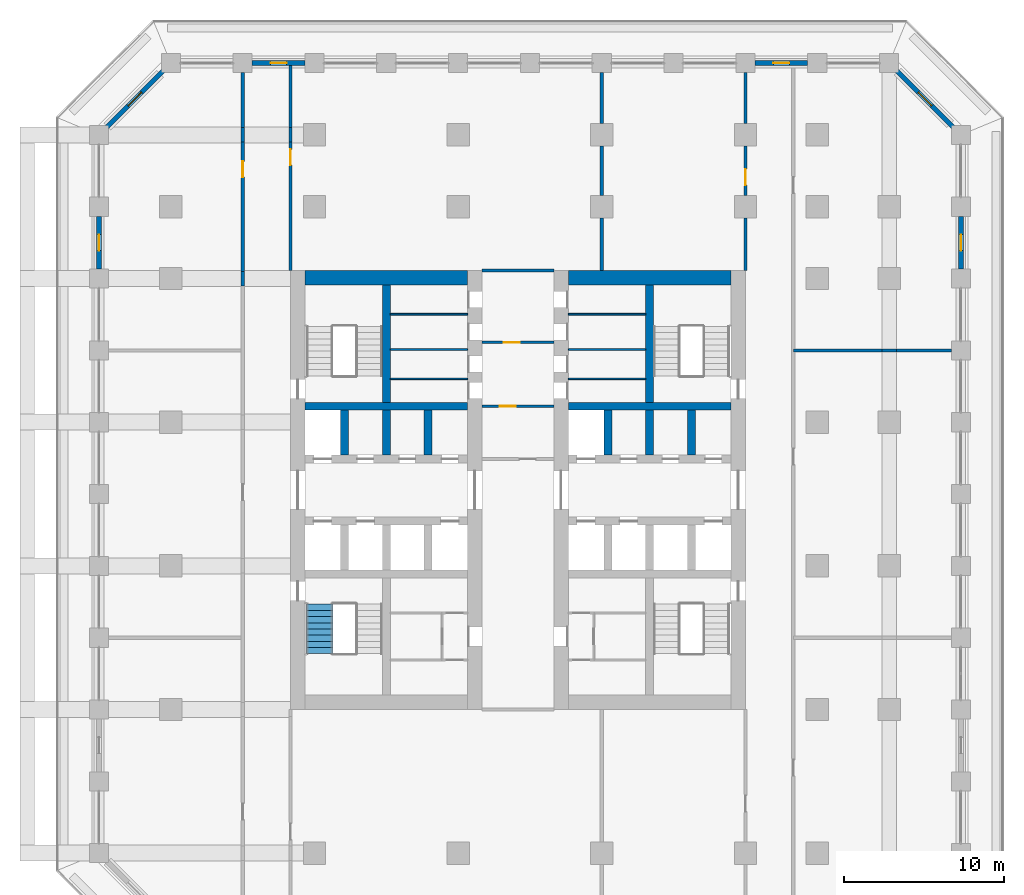
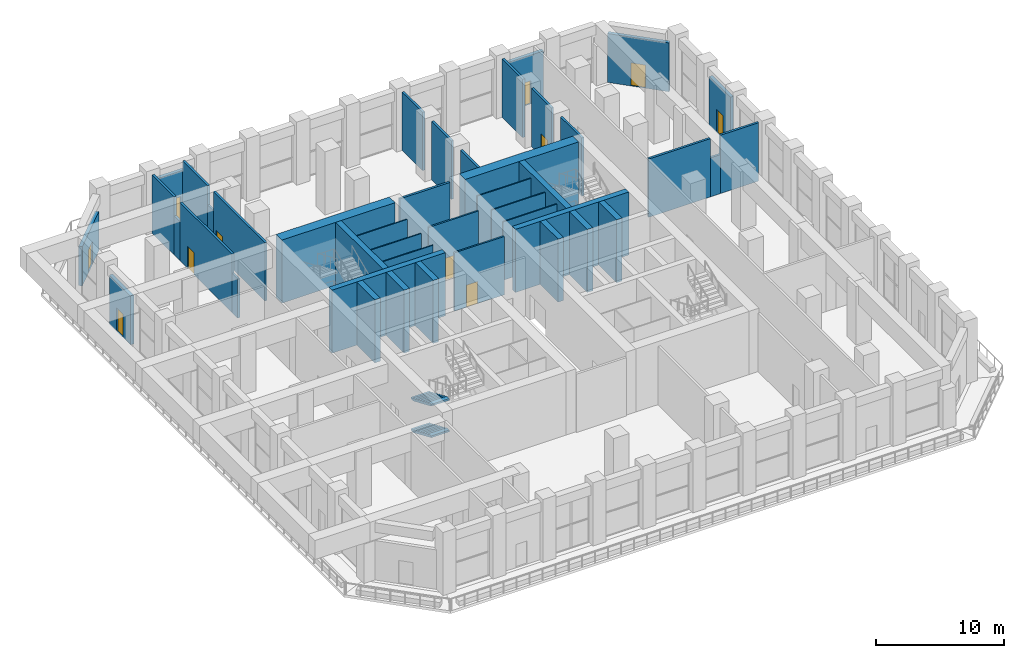
# One storey, part 15 of 24: 43 walls, 11 doors, 2 stair flights, 11 openings, 1 element without a shape of its own.
"""IFC4 building model written with IfcOpenShell, lengths in metres."""

from ifc_helpers import new_model, si_unit, direction, frame, frame_2d, origin, place, context, subcontext, project, spatial, polyline, rectangle, outline, extrude, material, layer, layer_set, type_object, element, fill, aggregate, save


model = new_model("IFC4")

# Units and contexts
model_context = context("Model", 3, precision=1e-05, world=origin(), true_north=direction((0.0, 1.0)))
body_context = subcontext(model_context, "Body", "Model", "MODEL_VIEW")
ifc_project = project(units=[si_unit("LENGTHUNIT", "METRE"), si_unit("AREAUNIT", "SQUARE_METRE"), si_unit("VOLUMEUNIT", "CUBIC_METRE"), si_unit("PLANEANGLEUNIT", "RADIAN"), si_unit("MASSUNIT", "GRAM", prefix="KILO")], contexts=[model_context])

# Site, building, storey
site_placement = place(None, origin())
site = spatial("IfcSite", under=ifc_project, at=site_placement, CompositionType="ELEMENT")
building_placement = place(site_placement, origin())
building = spatial("IfcBuilding", under=site, at=building_placement, Name="Corbel Stack Research Tower", CompositionType="ELEMENT")
storey_placement = place(building_placement, frame((0.0, 0.0, 110.699951171875)))
storey = spatial("IfcBuildingStorey", under=building, at=storey_placement, Name="L25", CompositionType="ELEMENT", Elevation=110.699951171875)

# Walls
ifc_material_1 = material(Name="Concrete C70/85", Category="concrete")
ifc_layer_1 = layer(ifc_material_1, 0.5)
ifc_layer_set_1 = layer_set([ifc_layer_1], Name="Concrete C70/85")
wall_type_1 = type_object("IfcWallType", Name="CW-500-70", PredefinedType="SHEAR", material=ifc_layer_set_1)
wall_1_placement = place(storey_placement, frame((-9.60009765625, 10.0, 0.0), z_axis=(0.0, 0.0, 1.0), x_axis=(1.0, 0.0, 0.0)))
element("IfcWall", 1, at=wall_1_placement, inside=storey, type_object=wall_type_1, Name="West core wall, north row back L25", PredefinedType="SHEAR", context=body_context, shape_type="SweptSolid", body=[
    extrude(rectangle(XDim=10.2001953125, YDim=0.5, at=frame_2d((5.10009765625, 0.0))), origin(), (0.0, 0.0, 1.0), 6.0),
])
for number, where, z_axis, x_axis, name in (
    (2, (-7.125, 6.949951171875, 0.0), (0.0, 0.0, 1.0), (0.0, 1.0, 0.0), "West core wall, north shaft 1 L25"),
    (3, (-4.5, 6.949951171875, 0.0), (0.0, 0.0, 1.0), (0.0, 1.0, 0.0), "West core wall, north shaft 2 L25"),
    (4, (-1.875, 6.949951171875, 0.0), (0.0, 0.0, 1.0), (0.0, 1.0, 0.0), "West core wall, north shaft 3 L25"),
):
    element("IfcWall", number, at=place(storey_placement, frame(where, z_axis=z_axis, x_axis=x_axis)), inside=storey, type_object=wall_type_1, Name=name, PredefinedType="SHEAR", context=body_context, shape_type="SweptSolid", body=[
        extrude(rectangle(XDim=2.800048828125, YDim=0.5, at=frame_2d((1.39990234375, 0.0))), origin(), (0.0, 0.0, 1.0), 6.0),
    ])
wall_2_placement = place(storey_placement, frame((-4.5, 10.25, 0.0), z_axis=(0.0, 0.0, 1.0), x_axis=(0.0, 1.0, 0.0)))
element("IfcWall", 5, at=wall_2_placement, inside=storey, type_object=wall_type_1, Name="West core wall, north stair and riser L25", PredefinedType="SHEAR", context=body_context, shape_type="SweptSolid", body=[
    extrude(rectangle(XDim=7.35009765625, YDim=0.5, at=frame_2d((3.675048828125, 0.0))), origin(), (0.0, 0.0, 1.0), 6.0),
])
wall_3_placement = place(storey_placement, frame((6.89990234375, 10.0, 0.0), z_axis=(0.0, 0.0, 1.0), x_axis=(1.0, 0.0, 0.0)))
element("IfcWall", 6, at=wall_3_placement, inside=storey, type_object=wall_type_1, Name="East core wall, north row back L25", PredefinedType="SHEAR", context=body_context, shape_type="SweptSolid", body=[
    extrude(rectangle(XDim=10.2001953125, YDim=0.5, at=frame_2d((5.10009765625, 0.0))), origin(), (0.0, 0.0, 1.0), 6.0),
])
for number, where, z_axis, x_axis, name in (
    (7, (9.375, 6.949951171875, 0.0), (0.0, 0.0, 1.0), (0.0, 1.0, 0.0), "East core wall, north shaft 1 L25"),
    (8, (12.0, 6.949951171875, 0.0), (0.0, 0.0, 1.0), (0.0, 1.0, 0.0), "East core wall, north shaft 2 L25"),
    (9, (14.625, 6.949951171875, 0.0), (0.0, 0.0, 1.0), (0.0, 1.0, 0.0), "East core wall, north shaft 3 L25"),
):
    element("IfcWall", number, at=place(storey_placement, frame(where, z_axis=z_axis, x_axis=x_axis)), inside=storey, type_object=wall_type_1, Name=name, PredefinedType="SHEAR", context=body_context, shape_type="SweptSolid", body=[
        extrude(rectangle(XDim=2.800048828125, YDim=0.5, at=frame_2d((1.39990234375, 0.0))), origin(), (0.0, 0.0, 1.0), 6.0),
    ])
wall_4_placement = place(storey_placement, frame((12.0, 10.25, 0.0), z_axis=(0.0, 0.0, 1.0), x_axis=(0.0, 1.0, 0.0)))
element("IfcWall", 10, at=wall_4_placement, inside=storey, type_object=wall_type_1, Name="East core wall, north stair and riser L25", PredefinedType="SHEAR", context=body_context, shape_type="SweptSolid", body=[
    extrude(rectangle(XDim=7.35009765625, YDim=0.5, at=frame_2d((3.675048828125, 0.0))), origin(), (0.0, 0.0, 1.0), 6.0),
])
ifc_material_2 = material(Name="Concrete C70/85", Category="concrete")
ifc_layer_2 = layer(ifc_material_2, 0.89990234375)
ifc_layer_set_2 = layer_set([ifc_layer_2], Name="Concrete C70/85")
wall_type_2 = type_object("IfcWallType", Name="CW-900-70", PredefinedType="SHEAR", material=ifc_layer_set_2)
for number, where, z_axis, x_axis, name in (
    (11, (-9.60009765625, 18.050048828125, 0.0), (0.0, 0.0, 1.0), (1.0, 0.0, 0.0), "West core wall, north end L25"),
    (12, (6.89990234375, 18.050048828125, 0.0), (0.0, 0.0, 1.0), (1.0, 0.0, 0.0), "East core wall, north end L25"),
):
    element("IfcWall", number, at=place(storey_placement, frame(where, z_axis=z_axis, x_axis=x_axis)), inside=storey, type_object=wall_type_2, Name=name, PredefinedType="SHEAR", context=body_context, shape_type="SweptSolid", body=[
        extrude(rectangle(XDim=10.2001953125, YDim=0.89990234375, at=frame_2d((5.10009765625, 0.0))), origin(), (0.0, 0.0, 1.0), 6.0),
    ])
ifc_material_3 = material(Name="Gypsum board")
ifc_layer_3 = layer(ifc_material_3, 0.10009765625)
ifc_layer_set_3 = layer_set([ifc_layer_3], Name="Gypsum board")
wall_type_3 = type_object("IfcWallType", Name="Core partition 100", PredefinedType="PARTITIONING", material=ifc_layer_set_3)
for number, where, z_axis, x_axis, name in (
    (13, (-4.25, 11.719970703125, 0.0), (0.0, 0.0, 1.0), (1.0, 0.0, 0.0), "Core partition W"),
    (14, (-4.25, 13.5576171875, 0.0), (0.0, 0.0, 1.0), (1.0, 0.0, 0.0), "Core partition W"),
    (15, (-4.25, 15.762451171875, 0.0), (0.0, 0.0, 1.0), (1.0, 0.0, 0.0), "Core partition W"),
    (16, (6.89990234375, 11.719970703125, 0.0), (0.0, 0.0, 1.0), (1.0, 0.0, 0.0), "Core partition E"),
    (17, (6.89990234375, 13.5576171875, 0.0), (0.0, 0.0, 1.0), (1.0, 0.0, 0.0), "Core partition E"),
    (18, (6.89990234375, 15.762451171875, 0.0), (0.0, 0.0, 1.0), (1.0, 0.0, 0.0), "Core partition E"),
):
    element("IfcWall", number, at=place(storey_placement, frame(where, z_axis=z_axis, x_axis=x_axis)), inside=storey, type_object=wall_type_3, Name=name, PredefinedType="PARTITIONING", context=body_context, shape_type="SweptSolid", body=[
        extrude(rectangle(XDim=4.85009765625, YDim=0.10009765625, at=frame_2d((2.425048828125, 0.0))), origin(), (0.0, 0.0, 1.0), 5.550048828125),
    ])
ifc_material_4 = material(Name="Fire-rated gypsum board partition on steel studs", Category="steel")
ifc_layer_4 = layer(ifc_material_4, 0.199951171875)
ifc_layer_set_4 = layer_set([ifc_layer_4], Name="Fire-rated gypsum board partition on steel studs")
wall_type_4 = type_object("IfcWallType", Name="Fire-rated partition 200 EI 60", PredefinedType="PARTITIONING", material=ifc_layer_set_4)
wall_5_placement = place(storey_placement, frame((-13.5, 17.550048828125, 0.0), z_axis=(0.0, 0.0, 1.0), x_axis=(0.0, 1.0, 0.0)))
element("IfcWall", 19, at=wall_5_placement, inside=storey, type_object=wall_type_4, Name="Partition L25-010", PredefinedType="PARTITIONING", context=body_context, shape_type="SweptSolid", body=[
    extrude(rectangle(XDim=0.89990234375, YDim=0.199951171875, at=frame_2d((0.449951171875, 0.0))), origin(), (0.0, 0.0, 1.0), 3.719970703125),
])

# Wall, opening, door
wall_6_placement = place(storey_placement, frame((-13.5, 18.449951171875, 0.0), z_axis=(0.0, 0.0, 1.0), x_axis=(0.0, 1.0, 0.0)))
wall_6 = element("IfcWall", 20, at=wall_6_placement, inside=storey, type_object=wall_type_4, Name="Partition L25-011", PredefinedType="PARTITIONING", context=body_context, shape_type="SweptSolid", body=[
    extrude(rectangle(XDim=8.10009765625, YDim=0.199951171875, at=frame_2d((4.050048828125, 0.0))), origin(), (0.0, 0.0, 1.0), 5.550048828125),
])
opening_1_placement = place(wall_6_placement, frame((5.89990234375, 0.0, 0.0)))
opening_1 = element("IfcOpeningElement", 21, at=opening_1_placement, cuts=wall_6, Name="Opening B3AM-003", PredefinedType="OPENING", context=body_context, shape_type="SweptSolid", body=[
    extrude(rectangle(XDim=1.0, YDim=2.10009765625, at=frame_2d((0.5, 1.050048828125))), frame((0.0, 0.10986328125, 0.0), z_axis=(0.0, -1.0, 0.0), x_axis=(1.0, 0.0, 0.0)), (0.0, 0.0, 1.0), 0.219970703125),
])
ifc_material_5 = material(Name="Painted steel fire door", Category="steel")
door_type_1 = type_object("IfcDoorType", Name="Fire door FD30S 1000 x 2100", OperationType="NOTDEFINED", PredefinedType="DOOR", material=ifc_material_5)
door_1_placement = place(opening_1_placement, origin())
door_1 = element("IfcDoor", 22, at=door_1_placement, inside=storey, type_object=door_type_1, Name="Door B3AM-003", OperationType="SINGLE_SWING_RIGHT", OverallHeight=2.10009765625, OverallWidth=1.0, PredefinedType="DOOR", context=body_context, shape_type="SweptSolid", body=[
    extrude(rectangle(XDim=1.0, YDim=2.10009765625, at=frame_2d((0.5, 1.050048828125))), frame((0.0, 0.02490234375, 0.0), z_axis=(0.0, -1.0, 0.0), x_axis=(1.0, 0.0, 0.0)), (0.0, 0.0, 1.0), 0.050048828125),
])
fill(opening_1, door_1)

# Walls
wall_7_placement = place(storey_placement, frame((-13.5, 26.550048828125, 0.0), z_axis=(0.0, 0.0, 1.0), x_axis=(0.0, 1.0, 0.0)))
element("IfcWall", 23, at=wall_7_placement, inside=storey, type_object=wall_type_4, Name="Partition L25-012", PredefinedType="PARTITIONING", context=body_context, shape_type="SweptSolid", body=[
    extrude(rectangle(XDim=0.89990234375, YDim=0.199951171875, at=frame_2d((0.449951171875, 0.0))), origin(), (0.0, 0.0, 1.0), 3.719970703125),
])
wall_8_placement = place(storey_placement, frame((-13.5, 27.449951171875, 0.0), z_axis=(0.0, 0.0, 1.0), x_axis=(0.0, 1.0, 0.0)))
element("IfcWall", 24, at=wall_8_placement, inside=storey, type_object=wall_type_4, Name="Partition L25-013", PredefinedType="PARTITIONING", context=body_context, shape_type="SweptSolid", body=[
    extrude(rectangle(XDim=3.449951171875, YDim=0.199951171875, at=frame_2d((1.72509765625, 0.0))), origin(), (0.0, 0.0, 1.0), 5.550048828125),
])

# Wall, opening, door
wall_9_placement = place(storey_placement, frame((-10.5, 26.550048828125, 0.0), z_axis=(0.0, 0.0, 1.0), x_axis=(0.0, -1.0, 0.0)))
wall_9 = element("IfcWall", 25, at=wall_9_placement, inside=storey, type_object=wall_type_4, Name="Partition L25-018", PredefinedType="PARTITIONING", context=body_context, shape_type="SweptSolid", body=[
    extrude(rectangle(XDim=8.050048828125, YDim=0.199951171875, at=frame_2d((4.02490234375, 0.0))), origin(), (0.0, 0.0, 1.0), 5.550048828125),
])
opening_2_placement = place(wall_9_placement, frame((0.449951171875, 0.0, 0.0)))
opening_2 = element("IfcOpeningElement", 26, at=opening_2_placement, cuts=wall_9, Name="Opening B3AM-005", PredefinedType="OPENING", context=body_context, shape_type="SweptSolid", body=[
    extrude(rectangle(XDim=1.0, YDim=2.10009765625, at=frame_2d((0.5, 1.050048828125))), frame((0.0, 0.10986328125, 0.0), z_axis=(0.0, -1.0, 0.0), x_axis=(1.0, 0.0, 0.0)), (0.0, 0.0, 1.0), 0.219970703125),
])
door_2_placement = place(opening_2_placement, origin())
door_2 = element("IfcDoor", 27, at=door_2_placement, inside=storey, type_object=door_type_1, Name="Door B3AM-005", OperationType="SINGLE_SWING_LEFT", OverallHeight=2.10009765625, OverallWidth=1.0, PredefinedType="DOOR", context=body_context, shape_type="SweptSolid", body=[
    extrude(rectangle(XDim=1.0, YDim=2.10009765625, at=frame_2d((0.5, 1.050048828125))), frame((0.0, 0.02490234375, 0.0), z_axis=(0.0, -1.0, 0.0), x_axis=(1.0, 0.0, 0.0)), (0.0, 0.0, 1.0), 0.050048828125),
])
fill(opening_2, door_2)

# Walls
wall_10_placement = place(storey_placement, frame((-10.5, 26.550048828125, 0.0), z_axis=(0.0, 0.0, 1.0), x_axis=(0.0, 1.0, 0.0)))
element("IfcWall", 28, at=wall_10_placement, inside=storey, type_object=wall_type_4, Name="Partition L25-019", PredefinedType="PARTITIONING", context=body_context, shape_type="SweptSolid", body=[
    extrude(rectangle(XDim=0.89990234375, YDim=0.199951171875, at=frame_2d((0.449951171875, 0.0))), origin(), (0.0, 0.0, 1.0), 3.719970703125),
])
wall_11_placement = place(storey_placement, frame((-10.5, 27.449951171875, 0.0), z_axis=(0.0, 0.0, 1.0), x_axis=(0.0, 1.0, 0.0)))
element("IfcWall", 29, at=wall_11_placement, inside=storey, type_object=wall_type_4, Name="Partition L25-020", PredefinedType="PARTITIONING", context=body_context, shape_type="SweptSolid", body=[
    extrude(rectangle(XDim=3.900146484375, YDim=0.199951171875, at=frame_2d((1.9501953125, 0.0))), origin(), (0.0, 0.0, 1.0), 5.550048828125),
])
wall_12_placement = place(storey_placement, frame((9.0, 18.5, 0.0), z_axis=(0.0, 0.0, 1.0), x_axis=(0.0, 1.0, 0.0)))
element("IfcWall", 30, at=wall_12_placement, inside=storey, type_object=wall_type_4, Name="Partition L25-023", PredefinedType="PARTITIONING", context=body_context, shape_type="SweptSolid", body=[
    extrude(rectangle(XDim=3.300048828125, YDim=0.199951171875, at=frame_2d((1.64990234375, 0.0))), origin(), (0.0, 0.0, 1.0), 5.550048828125),
])
wall_13_placement = place(storey_placement, frame((9.0, 23.199951171875, 0.0), z_axis=(0.0, 0.0, 1.0), x_axis=(0.0, 1.0, 0.0)))
element("IfcWall", 31, at=wall_13_placement, inside=storey, type_object=wall_type_4, Name="Partition L25-024", PredefinedType="PARTITIONING", context=body_context, shape_type="SweptSolid", body=[
    extrude(rectangle(XDim=3.10009765625, YDim=0.199951171875, at=frame_2d((1.550048828125, 0.0))), origin(), (0.0, 0.0, 1.0), 5.550048828125),
])
wall_14_placement = place(storey_placement, frame((9.0, 27.699951171875, 0.0), z_axis=(0.0, 0.0, 1.0), x_axis=(0.0, 1.0, 0.0)))
element("IfcWall", 32, at=wall_14_placement, inside=storey, type_object=wall_type_4, Name="Partition L25-025", PredefinedType="PARTITIONING", context=body_context, shape_type="SweptSolid", body=[
    extrude(rectangle(XDim=3.199951171875, YDim=0.199951171875, at=frame_2d((1.60009765625, 0.0))), origin(), (0.0, 0.0, 1.0), 5.550048828125),
])
wall_15_placement = place(storey_placement, frame((18.0, 18.5, 0.0), z_axis=(0.0, 0.0, 1.0), x_axis=(0.0, 1.0, 0.0)))
element("IfcWall", 33, at=wall_15_placement, inside=storey, type_object=wall_type_4, Name="Partition L25-028", PredefinedType="PARTITIONING", context=body_context, shape_type="SweptSolid", body=[
    extrude(rectangle(XDim=3.300048828125, YDim=0.199951171875, at=frame_2d((1.64990234375, 0.0))), origin(), (0.0, 0.0, 1.0), 5.550048828125),
])

# Wall, opening, door
wall_16_placement = place(storey_placement, frame((18.0, 23.199951171875, 0.0), z_axis=(0.0, 0.0, 1.0), x_axis=(0.0, 1.0, 0.0)))
wall_16 = element("IfcWall", 34, at=wall_16_placement, inside=storey, type_object=wall_type_4, Name="Partition L25-029", PredefinedType="PARTITIONING", context=body_context, shape_type="SweptSolid", body=[
    extrude(rectangle(XDim=3.10009765625, YDim=0.199951171875, at=frame_2d((1.550048828125, 0.0))), origin(), (0.0, 0.0, 1.0), 5.550048828125),
])
opening_3_placement = place(wall_16_placement, frame((0.64990234375, 0.0, 0.0)))
opening_3 = element("IfcOpeningElement", 35, at=opening_3_placement, cuts=wall_16, Name="Opening B3AM-010", PredefinedType="OPENING", context=body_context, shape_type="SweptSolid", body=[
    extrude(rectangle(XDim=1.0, YDim=2.10009765625, at=frame_2d((0.5, 1.050048828125))), frame((0.0, 0.10986328125, 0.0), z_axis=(0.0, -1.0, 0.0), x_axis=(1.0, 0.0, 0.0)), (0.0, 0.0, 1.0), 0.219970703125),
])
door_3_placement = place(opening_3_placement, origin())
door_3 = element("IfcDoor", 36, at=door_3_placement, inside=storey, type_object=door_type_1, Name="Door B3AM-010", OperationType="SINGLE_SWING_LEFT", OverallHeight=2.10009765625, OverallWidth=1.0, PredefinedType="DOOR", context=body_context, shape_type="SweptSolid", body=[
    extrude(rectangle(XDim=1.0, YDim=2.10009765625, at=frame_2d((0.5, 1.050048828125))), frame((0.0, 0.02490234375, 0.0), z_axis=(0.0, -1.0, 0.0), x_axis=(1.0, 0.0, 0.0)), (0.0, 0.0, 1.0), 0.050048828125),
])
fill(opening_3, door_3)

# Walls
wall_17_placement = place(storey_placement, frame((18.0, 27.699951171875, 0.0), z_axis=(0.0, 0.0, 1.0), x_axis=(0.0, 1.0, 0.0)))
element("IfcWall", 37, at=wall_17_placement, inside=storey, type_object=wall_type_4, Name="Partition L25-030", PredefinedType="PARTITIONING", context=body_context, shape_type="SweptSolid", body=[
    extrude(rectangle(XDim=3.199951171875, YDim=0.199951171875, at=frame_2d((1.60009765625, 0.0))), origin(), (0.0, 0.0, 1.0), 5.550048828125),
])
wall_18_placement = place(storey_placement, frame((21.0, 13.5, 0.0), z_axis=(0.0, 0.0, 1.0), x_axis=(1.0, 0.0, 0.0)))
element("IfcWall", 38, at=wall_18_placement, inside=storey, type_object=wall_type_4, Name="Partition L25-040", PredefinedType="PARTITIONING", context=body_context, shape_type="SweptSolid", body=[
    extrude(rectangle(XDim=5.550048828125, YDim=0.199951171875, at=frame_2d((2.77490234375, 0.0))), origin(), (0.0, 0.0, 1.0), 5.550048828125),
])
wall_19_placement = place(storey_placement, frame((26.550048828125, 13.5, 0.0), z_axis=(0.0, 0.0, 1.0), x_axis=(1.0, 0.0, 0.0)))
element("IfcWall", 39, at=wall_19_placement, inside=storey, type_object=wall_type_4, Name="Partition L25-041", PredefinedType="PARTITIONING", context=body_context, shape_type="SweptSolid", body=[
    extrude(rectangle(XDim=0.89990234375, YDim=0.199951171875, at=frame_2d((0.449951171875, 0.0))), origin(), (0.0, 0.0, 1.0), 3.719970703125),
])
wall_20_placement = place(storey_placement, frame((27.449951171875, 13.5, 0.0), z_axis=(0.0, 0.0, 1.0), x_axis=(1.0, 0.0, 0.0)))
element("IfcWall", 40, at=wall_20_placement, inside=storey, type_object=wall_type_4, Name="Partition L25-042", PredefinedType="PARTITIONING", context=body_context, shape_type="SweptSolid", body=[
    extrude(rectangle(XDim=3.449951171875, YDim=0.199951171875, at=frame_2d((1.72509765625, 0.0))), origin(), (0.0, 0.0, 1.0), 5.550048828125),
])
wall_21_placement = place(storey_placement, frame((1.5, 18.5, 0.0), z_axis=(0.0, 0.0, 1.0), x_axis=(1.0, 0.0, 0.0)))
element("IfcWall", 41, at=wall_21_placement, inside=storey, type_object=wall_type_4, Name="Partition L25-044", PredefinedType="PARTITIONING", context=body_context, shape_type="SweptSolid", body=[
    extrude(rectangle(XDim=4.5, YDim=0.199951171875, at=frame_2d((2.25, 0.0))), origin(), (0.0, 0.0, 1.0), 5.550048828125),
])

# Wall, opening, door
ifc_material_6 = material(Name="Gypsum board partition on steel studs", Category="steel")
ifc_layer_5 = layer(ifc_material_6, 0.14990234375)
ifc_layer_set_5 = layer_set([ifc_layer_5], Name="Gypsum board partition on steel studs")
wall_type_5 = type_object("IfcWallType", Name="Partition 150", PredefinedType="PARTITIONING", material=ifc_layer_set_5)
wall_22_placement = place(storey_placement, frame((1.5, 10.0, 0.0), z_axis=(0.0, 0.0, 1.0), x_axis=(1.0, 0.0, 0.0)))
wall_22 = element("IfcWall", 42, at=wall_22_placement, inside=storey, type_object=wall_type_5, Name="Partition L25-038", PredefinedType="PARTITIONING", context=body_context, shape_type="SweptSolid", body=[
    extrude(rectangle(XDim=4.5, YDim=0.14990234375, at=frame_2d((2.25, 0.0))), origin(), (0.0, 0.0, 1.0), 5.550048828125),
])
opening_4_placement = place(wall_22_placement, frame((1.10009765625, 0.0, 0.0)))
opening_4 = element("IfcOpeningElement", 43, at=opening_4_placement, cuts=wall_22, Name="Opening B3AM-007", PredefinedType="OPENING", context=body_context, shape_type="SweptSolid", body=[
    extrude(rectangle(XDim=1.0, YDim=2.10009765625, at=frame_2d((0.5, 1.050048828125))), frame((0.0, 0.0849609375, 0.0), z_axis=(0.0, -1.0, 0.0), x_axis=(1.0, 0.0, 0.0)), (0.0, 0.0, 1.0), 0.169921875),
])
ifc_material_7 = material(Name="Painted timber door", Category="wood")
door_type_2 = type_object("IfcDoorType", Name="Single door 1000 x 2100", OperationType="NOTDEFINED", PredefinedType="DOOR", material=ifc_material_7)
door_4_placement = place(opening_4_placement, origin())
door_4 = element("IfcDoor", 44, at=door_4_placement, inside=storey, type_object=door_type_2, Name="Door B3AM-007", OperationType="SINGLE_SWING_LEFT", OverallHeight=2.10009765625, OverallWidth=1.0, PredefinedType="DOOR", context=body_context, shape_type="SweptSolid", body=[
    extrude(rectangle(XDim=1.0, YDim=2.10009765625, at=frame_2d((0.5, 1.050048828125))), frame((0.0, 0.02490234375, 0.0), z_axis=(0.0, -1.0, 0.0), x_axis=(1.0, 0.0, 0.0)), (0.0, 0.0, 1.0), 0.050048828125),
])
fill(opening_4, door_4)

wall_23_placement = place(storey_placement, frame((1.5, 14.0, 0.0), z_axis=(0.0, 0.0, 1.0), x_axis=(1.0, 0.0, 0.0)))
wall_23 = element("IfcWall", 45, at=wall_23_placement, inside=storey, type_object=wall_type_5, Name="Partition L25-043", PredefinedType="PARTITIONING", context=body_context, shape_type="SweptSolid", body=[
    extrude(rectangle(XDim=4.5, YDim=0.14990234375, at=frame_2d((2.25, 0.0))), origin(), (0.0, 0.0, 1.0), 5.550048828125),
])
opening_5_placement = place(wall_23_placement, frame((1.35009765625, 0.0, 0.0)))
opening_5 = element("IfcOpeningElement", 46, at=opening_5_placement, cuts=wall_23, Name="Opening B3AM-008", PredefinedType="OPENING", context=body_context, shape_type="SweptSolid", body=[
    extrude(rectangle(XDim=1.0, YDim=2.10009765625, at=frame_2d((0.5, 1.050048828125))), frame((0.0, 0.0849609375, 0.0), z_axis=(0.0, -1.0, 0.0), x_axis=(1.0, 0.0, 0.0)), (0.0, 0.0, 1.0), 0.169921875),
])
door_5_placement = place(opening_5_placement, origin())
door_5 = element("IfcDoor", 47, at=door_5_placement, inside=storey, type_object=door_type_2, Name="Door B3AM-008", OperationType="SINGLE_SWING_LEFT", OverallHeight=2.10009765625, OverallWidth=1.0, PredefinedType="DOOR", context=body_context, shape_type="SweptSolid", body=[
    extrude(rectangle(XDim=1.0, YDim=2.10009765625, at=frame_2d((0.5, 1.050048828125))), frame((0.0, 0.02490234375, 0.0), z_axis=(0.0, -1.0, 0.0), x_axis=(1.0, 0.0, 0.0)), (0.0, 0.0, 1.0), 0.050048828125),
])
fill(opening_5, door_5)

ifc_material_8 = material(Name="Concrete C45/55", Category="concrete")
ifc_layer_6 = layer(ifc_material_8, 0.300048828125)
ifc_layer_set_6 = layer_set([ifc_layer_6], Name="Concrete C45/55")
wall_type_6 = type_object("IfcWallType", Name="Terracotta-faced concrete wall 300", PredefinedType="SOLIDWALL", material=ifc_layer_set_6)
wall_24_placement = place(storey_placement, frame((31.5, 21.89990234375, 0.0), z_axis=(0.0, 0.0, 1.0), x_axis=(0.0, -1.0, 0.0)))
wall_24 = element("IfcWall", 48, at=wall_24_placement, inside=storey, type_object=wall_type_6, Name="Facade wall L25 E09", PredefinedType="SOLIDWALL", context=body_context, shape_type="SweptSolid", body=[
    extrude(rectangle(XDim=3.2998046875, YDim=0.300048828125, at=frame_2d((1.64990234375, 0.0))), origin(), (0.0, 0.0, 1.0), 4.650146484375),
])
opening_6_placement = place(wall_24_placement, frame((1.14990234375, 0.0, 0.0)))
opening_6 = element("IfcOpeningElement", 49, at=opening_6_placement, cuts=wall_24, Name="Opening L25-B05", PredefinedType="OPENING", context=body_context, shape_type="SweptSolid", body=[
    extrude(rectangle(XDim=1.0, YDim=2.199951171875, at=frame_2d((0.5, 1.10009765625))), frame((0.0, 0.159912109375, 0.0), z_axis=(0.0, -1.0, 0.0), x_axis=(1.0, 0.0, 0.0)), (0.0, 0.0, 1.0), 0.320068359375),
])
ifc_material_9 = material(Name="Aluminium frame, clear double glazing", Category="aluminium")
door_type_3 = type_object("IfcDoorType", Name="Balcony door BD1 1000 x 2200", OperationType="NOTDEFINED", PredefinedType="DOOR", material=ifc_material_9)
door_6_placement = place(opening_6_placement, origin())
door_6 = element("IfcDoor", 50, at=door_6_placement, inside=storey, type_object=door_type_3, Name="Balcony door L25-B05", OperationType="SINGLE_SWING_RIGHT", OverallHeight=2.199951171875, OverallWidth=1.0, PredefinedType="DOOR", context=body_context, shape_type="SweptSolid", body=[
    extrude(rectangle(XDim=1.0, YDim=2.199951171875, at=frame_2d((0.5, 1.10009765625))), frame((0.0, 0.02490234375, 0.0), z_axis=(0.0, -1.0, 0.0), x_axis=(1.0, 0.0, 0.0)), (0.0, 0.0, 1.0), 0.050048828125),
])
fill(opening_6, door_6)

wall_25_placement = place(storey_placement, frame((27.493896484375, 31.006103515625, 0.0), z_axis=(0.0, 0.0, 1.0), x_axis=(0.707106781187, -0.707106781187, 0.0)))
wall_25 = element("IfcWall", 51, at=wall_25_placement, inside=storey, type_object=wall_type_6, Name="Facade wall L25 NE01", PredefinedType="SOLIDWALL", context=body_context, shape_type="SweptSolid", body=[
    extrude(rectangle(XDim=4.967041015625, YDim=0.300048828125, at=frame_2d((2.4833984375, 0.0))), origin(), (0.0, 0.0, 1.0), 4.650146484375),
])
opening_7_placement = place(wall_25_placement, frame((1.883544921875, 0.0, 0.0)))
opening_7 = element("IfcOpeningElement", 52, at=opening_7_placement, cuts=wall_25, Name="Opening L25-B06", PredefinedType="OPENING", context=body_context, shape_type="SweptSolid", body=[
    extrude(rectangle(XDim=1.199951171875, YDim=2.199951171875, at=frame_2d((0.60009765625, 1.10009765625))), frame((0.0, 0.159912109375, 0.0), z_axis=(0.0, -1.0, 0.0), x_axis=(1.0, 0.0, 0.0)), (0.0, 0.0, 1.0), 0.320068359375),
])
ifc_material_10 = material(Name="Aluminium frame, clear double glazing", Category="aluminium")
door_type_4 = type_object("IfcDoorType", Name="Balcony door BD2 1200 x 2200", OperationType="NOTDEFINED", PredefinedType="DOOR", material=ifc_material_10)
door_7_placement = place(opening_7_placement, origin())
door_7 = element("IfcDoor", 53, at=door_7_placement, inside=storey, type_object=door_type_4, Name="Balcony door L25-B06", OperationType="SINGLE_SWING_RIGHT", OverallHeight=2.199951171875, OverallWidth=1.199951171875, PredefinedType="DOOR", context=body_context, shape_type="SweptSolid", body=[
    extrude(rectangle(XDim=1.199951171875, YDim=2.199951171875, at=frame_2d((0.60009765625, 1.10009765625))), frame((0.0, 0.02490234375, 0.0), z_axis=(0.0, -1.0, 0.0), x_axis=(1.0, 0.0, 0.0)), (0.0, 0.0, 1.0), 0.050048828125),
])
fill(opening_7, door_7)

wall_26_placement = place(storey_placement, frame((18.60009765625, 31.5, 0.0), z_axis=(0.0, 0.0, 1.0), x_axis=(1.0, 0.0, 0.0)))
wall_26 = element("IfcWall", 54, at=wall_26_placement, inside=storey, type_object=wall_type_6, Name="Facade wall L25 N02", PredefinedType="SOLIDWALL", context=body_context, shape_type="SweptSolid", body=[
    extrude(rectangle(XDim=3.2998046875, YDim=0.300048828125, at=frame_2d((1.64990234375, 0.0))), origin(), (0.0, 0.0, 1.0), 4.650146484375),
])
opening_8_placement = place(wall_26_placement, frame((1.14990234375, 0.0, 0.0)))
opening_8 = element("IfcOpeningElement", 55, at=opening_8_placement, cuts=wall_26, Name="Opening L25-B07", PredefinedType="OPENING", context=body_context, shape_type="SweptSolid", body=[
    extrude(rectangle(XDim=1.0, YDim=2.199951171875, at=frame_2d((0.5, 1.10009765625))), frame((0.0, 0.159912109375, 0.0), z_axis=(0.0, -1.0, 0.0), x_axis=(1.0, 0.0, 0.0)), (0.0, 0.0, 1.0), 0.320068359375),
])
door_8_placement = place(opening_8_placement, origin())
door_8 = element("IfcDoor", 56, at=door_8_placement, inside=storey, type_object=door_type_3, Name="Balcony door L25-B07", OperationType="SINGLE_SWING_LEFT", OverallHeight=2.199951171875, OverallWidth=1.0, PredefinedType="DOOR", context=body_context, shape_type="SweptSolid", body=[
    extrude(rectangle(XDim=1.0, YDim=2.199951171875, at=frame_2d((0.5, 1.10009765625))), frame((0.0, 0.02490234375, 0.0), z_axis=(0.0, -1.0, 0.0), x_axis=(1.0, 0.0, 0.0)), (0.0, 0.0, 1.0), 0.050048828125),
])
fill(opening_8, door_8)

wall_27_placement = place(storey_placement, frame((-12.89990234375, 31.5, 0.0), z_axis=(0.0, 0.0, 1.0), x_axis=(1.0, 0.0, 0.0)))
wall_27 = element("IfcWall", 57, at=wall_27_placement, inside=storey, type_object=wall_type_6, Name="Facade wall L25 N09", PredefinedType="SOLIDWALL", context=body_context, shape_type="SweptSolid", body=[
    extrude(rectangle(XDim=3.2998046875, YDim=0.300048828125, at=frame_2d((1.64990234375, 0.0))), origin(), (0.0, 0.0, 1.0), 4.650146484375),
])
opening_9_placement = place(wall_27_placement, frame((1.14990234375, 0.0, 0.0)))
opening_9 = element("IfcOpeningElement", 58, at=opening_9_placement, cuts=wall_27, Name="Opening L25-B08", PredefinedType="OPENING", context=body_context, shape_type="SweptSolid", body=[
    extrude(rectangle(XDim=1.0, YDim=2.199951171875, at=frame_2d((0.5, 1.10009765625))), frame((0.0, 0.159912109375, 0.0), z_axis=(0.0, -1.0, 0.0), x_axis=(1.0, 0.0, 0.0)), (0.0, 0.0, 1.0), 0.320068359375),
])
door_9_placement = place(opening_9_placement, origin())
door_9 = element("IfcDoor", 59, at=door_9_placement, inside=storey, type_object=door_type_3, Name="Balcony door L25-B08", OperationType="SINGLE_SWING_RIGHT", OverallHeight=2.199951171875, OverallWidth=1.0, PredefinedType="DOOR", context=body_context, shape_type="SweptSolid", body=[
    extrude(rectangle(XDim=1.0, YDim=2.199951171875, at=frame_2d((0.5, 1.10009765625))), frame((0.0, 0.02490234375, 0.0), z_axis=(0.0, -1.0, 0.0), x_axis=(1.0, 0.0, 0.0)), (0.0, 0.0, 1.0), 0.050048828125),
])
fill(opening_9, door_9)

wall_28_placement = place(storey_placement, frame((-22.006103515625, 27.493896484375, 0.0), z_axis=(0.0, 0.0, 1.0), x_axis=(0.707106781187, 0.707106781187, 0.0)))
wall_28 = element("IfcWall", 60, at=wall_28_placement, inside=storey, type_object=wall_type_6, Name="Facade wall L25 NW01", PredefinedType="SOLIDWALL", context=body_context, shape_type="SweptSolid", body=[
    extrude(rectangle(XDim=4.967041015625, YDim=0.300048828125, at=frame_2d((2.4833984375, 0.0))), origin(), (0.0, 0.0, 1.0), 3.75),
])
opening_10_placement = place(wall_28_placement, frame((1.883544921875, 0.0, 0.0)))
opening_10 = element("IfcOpeningElement", 61, at=opening_10_placement, cuts=wall_28, Name="Opening L25-B09", PredefinedType="OPENING", context=body_context, shape_type="SweptSolid", body=[
    extrude(rectangle(XDim=1.199951171875, YDim=2.199951171875, at=frame_2d((0.60009765625, 1.10009765625))), frame((0.0, 0.159912109375, 0.0), z_axis=(0.0, -1.0, 0.0), x_axis=(1.0, 0.0, 0.0)), (0.0, 0.0, 1.0), 0.320068359375),
])
door_10_placement = place(opening_10_placement, origin())
door_10 = element("IfcDoor", 62, at=door_10_placement, inside=storey, type_object=door_type_4, Name="Balcony door L25-B09", OperationType="SINGLE_SWING_RIGHT", OverallHeight=2.199951171875, OverallWidth=1.199951171875, PredefinedType="DOOR", context=body_context, shape_type="SweptSolid", body=[
    extrude(rectangle(XDim=1.199951171875, YDim=2.199951171875, at=frame_2d((0.60009765625, 1.10009765625))), frame((0.0, 0.02490234375, 0.0), z_axis=(0.0, -1.0, 0.0), x_axis=(1.0, 0.0, 0.0)), (0.0, 0.0, 1.0), 0.050048828125),
])
fill(opening_10, door_10)

wall_29_placement = place(storey_placement, frame((-22.5, 18.60009765625, 0.0), z_axis=(0.0, 0.0, 1.0), x_axis=(0.0, 1.0, 0.0)))
wall_29 = element("IfcWall", 63, at=wall_29_placement, inside=storey, type_object=wall_type_6, Name="Facade wall L25 W02", PredefinedType="SOLIDWALL", context=body_context, shape_type="SweptSolid", body=[
    extrude(rectangle(XDim=3.2998046875, YDim=0.300048828125, at=frame_2d((1.64990234375, 0.0))), origin(), (0.0, 0.0, 1.0), 4.650146484375),
])
opening_11_placement = place(wall_29_placement, frame((1.14990234375, 0.0, 0.0)))
opening_11 = element("IfcOpeningElement", 64, at=opening_11_placement, cuts=wall_29, Name="Opening L25-B10", PredefinedType="OPENING", context=body_context, shape_type="SweptSolid", body=[
    extrude(rectangle(XDim=1.0, YDim=2.199951171875, at=frame_2d((0.5, 1.10009765625))), frame((0.0, 0.159912109375, 0.0), z_axis=(0.0, -1.0, 0.0), x_axis=(1.0, 0.0, 0.0)), (0.0, 0.0, 1.0), 0.320068359375),
])
door_11_placement = place(opening_11_placement, origin())
door_11 = element("IfcDoor", 65, at=door_11_placement, inside=storey, type_object=door_type_3, Name="Balcony door L25-B10", OperationType="SINGLE_SWING_LEFT", OverallHeight=2.199951171875, OverallWidth=1.0, PredefinedType="DOOR", context=body_context, shape_type="SweptSolid", body=[
    extrude(rectangle(XDim=1.0, YDim=2.199951171875, at=frame_2d((0.5, 1.10009765625))), frame((0.0, 0.02490234375, 0.0), z_axis=(0.0, -1.0, 0.0), x_axis=(1.0, 0.0, 0.0)), (0.0, 0.0, 1.0), 0.050048828125),
])
fill(opening_11, door_11)

# Stair, stair flights
ifc_material_11 = material(Name="Concrete C40/50", Category="concrete")
stair_type = type_object("IfcStairType", Name="Exit stair 36 risers, 388 going", PredefinedType="HALF_TURN_STAIR", material=ifc_material_11)
stair_placement = place(storey_placement, origin())
stair = element("IfcStair", 66, at=stair_placement, inside=storey, type_object=stair_type, Name="L25 Exit stair ST-W1", PredefinedType="HALF_TURN_STAIR")
ifc_material_12 = material(Name="Concrete C40/50", Category="concrete")
stair_flight_type = type_object("IfcStairFlightType", Name="Stair flight 9 risers, 388 going", PredefinedType="STRAIGHT", material=ifc_material_12)
stair_flight_1_placement = place(storey_placement, frame((-8.675048828125, -2.39990234375, 0.0), z_axis=(0.0, 0.0, 1.0), x_axis=(0.0, -1.0, 0.0)))
stair_flight_1 = element("IfcStairFlight", 67, at=stair_flight_1_placement, type_object=stair_flight_type, Name="ST-W1 flight 1", NumberOfRisers=9, NumberOfTreads=8, PredefinedType="STRAIGHT", RiserHeight=0.166666667, TreadLength=0.388, context=body_context, shape_type="SweptSolid", body=[
    extrude(outline(polyline([(0.0, 0.0), (0.0, 0.166748046875), (0.387939453125, 0.166748046875), (0.387939453125, 0.333251953125), (0.77587890625, 0.333251953125), (0.77587890625, 0.5), (1.1640625, 0.5), (1.1640625, 0.666748046875), (1.552001953125, 0.666748046875), (1.552001953125, 0.833251953125), (1.93994140625, 0.833251953125), (1.93994140625, 1.0), (2.327880859375, 1.0), (2.327880859375, 1.166748046875), (2.716064453125, 1.166748046875), (2.716064453125, 1.333251953125), (3.10400390625, 1.333251953125), (3.10400390625, 1.5), (3.10400390625, 1.170166015625), (0.3798828125, 0.0), (0.0, 0.0)])), frame((0.0, 0.824951171875, 0.0), z_axis=(0.0, -1.0, 0.0), x_axis=(1.0, 0.0, 0.0)), (0.0, 0.0, 1.0), 1.64990234375),
])
stair_flight_2_placement = place(storey_placement, frame((-8.675048828125, -2.39990234375, 3.0), z_axis=(0.0, 0.0, 1.0), x_axis=(0.0, -1.0, 0.0)))
stair_flight_2 = element("IfcStairFlight", 68, at=stair_flight_2_placement, type_object=stair_flight_type, Name="ST-W1 flight 3", NumberOfRisers=9, NumberOfTreads=8, PredefinedType="STRAIGHT", RiserHeight=0.166666667, TreadLength=0.388, context=body_context, shape_type="SweptSolid", body=[
    extrude(outline(polyline([(0.0, 0.0), (0.0, 0.166748046875), (0.387939453125, 0.166748046875), (0.387939453125, 0.333251953125), (0.77587890625, 0.333251953125), (0.77587890625, 0.5), (1.1640625, 0.5), (1.1640625, 0.666748046875), (1.552001953125, 0.666748046875), (1.552001953125, 0.833251953125), (1.93994140625, 0.833251953125), (1.93994140625, 1.0), (2.327880859375, 1.0), (2.327880859375, 1.166748046875), (2.716064453125, 1.166748046875), (2.716064453125, 1.333251953125), (3.10400390625, 1.333251953125), (3.10400390625, 1.5), (3.10400390625, 1.170166015625), (0.3798828125, 0.0), (0.0, 0.0)])), frame((0.0, 0.824951171875, 0.0), z_axis=(0.0, -1.0, 0.0), x_axis=(1.0, 0.0, 0.0)), (0.0, 0.0, 1.0), 1.64990234375),
])
aggregate(stair, [stair_flight_1, stair_flight_2])

save(model, "model.ifc")
